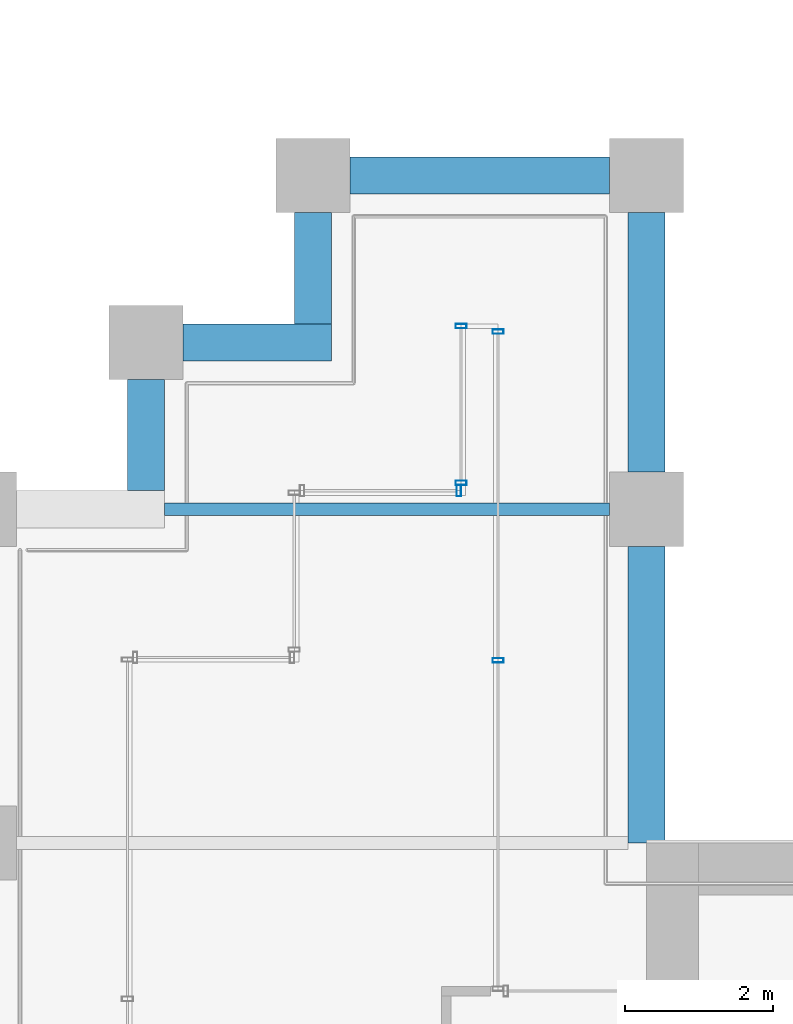
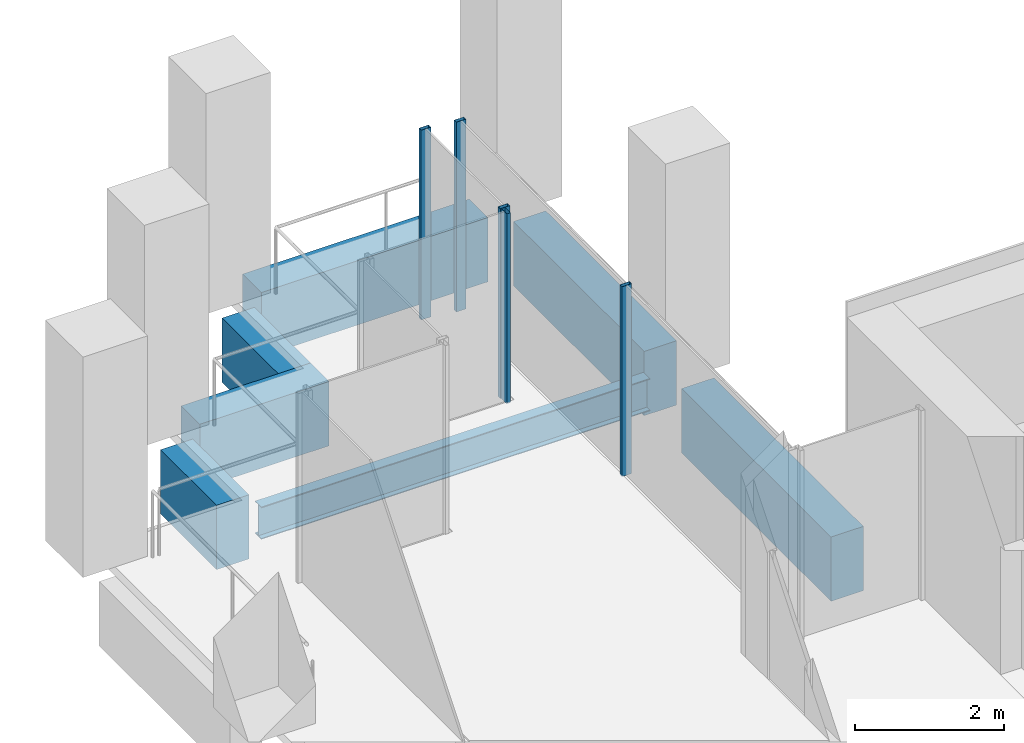
# One storey, part 35 of 47: 7 beams, 5 members, 3 elements without a shape of their own.
"""IFC4 building model written with IfcOpenShell, lengths in metres."""

from ifc_helpers import new_model, si_unit, direction, frame, origin, origin_2d, place, context, subcontext, project, spatial, rectangle, hollow_rectangle, i_section, extrude, material, material_profile, profile_set, type_object, element, aggregate, save


model = new_model("IFC4")

# Units and contexts
model_context = context("Model", 3, precision=1e-05, world=origin(), true_north=direction((0.0, 1.0)))
body_context = subcontext(model_context, "Body", "Model", "MODEL_VIEW")
ifc_project = project(units=[si_unit("LENGTHUNIT", "METRE"), si_unit("AREAUNIT", "SQUARE_METRE"), si_unit("VOLUMEUNIT", "CUBIC_METRE"), si_unit("PLANEANGLEUNIT", "RADIAN"), si_unit("MASSUNIT", "GRAM", prefix="KILO")], contexts=[model_context])

# Site, building, storey
site_placement = place(None, origin())
site = spatial("IfcSite", under=ifc_project, at=site_placement, CompositionType="ELEMENT")
building_placement = place(site_placement, origin())
building = spatial("IfcBuilding", under=site, at=building_placement, Name="Altepetl Exchange Towers", CompositionType="ELEMENT")
storey_placement = place(building_placement, frame((0.0, 0.0, 99.199951171875)))
storey = spatial("IfcBuildingStorey", under=building, at=storey_placement, Name="L24", CompositionType="ELEMENT", Elevation=99.199951171875)

# Beam
ifc_material_1 = material(Name="Steel S355", Category="steel")
ifc_material_profile_1 = material_profile(ifc_material_1, i_section(OverallWidth=0.166015625, OverallDepth=0.529052734375, WebThickness=0.009765625, FlangeThickness=0.013671875, at=origin_2d()), Name="W21X50")
ifc_profile_set_1 = profile_set([ifc_material_profile_1], Name="Steel S355")
beam_type_1 = type_object("IfcBeamType", Name="Floor beam W21X50", PredefinedType="BEAM", material=ifc_profile_set_1)
beam_1_placement = place(storey_placement, frame((97.0, 54.0, -0.41455078125), z_axis=(1.0, 0.0, 0.0), x_axis=(0.0, 1.0, 0.0)))
element("IfcBeam", 1, at=beam_1_placement, inside=storey, type_object=beam_type_1, Name="bm:B:L24:011", PredefinedType="BEAM", context=body_context, shape_type="SweptSolid", body=[
    extrude(i_section(OverallWidth=0.166015625, OverallDepth=0.529052734375, WebThickness=0.009765625, FlangeThickness=0.013671875, at=origin_2d()), origin(), (0.0, 0.0, 1.0), 6.0),
])

# Curtain wall, members
ifc_material_2 = material(Name="Aluminium 6063-T6 glazing", Category="aluminium")
curtain_wall_type = type_object("IfcCurtainWallType", Name="Loggia glazing system", PredefinedType="NOTDEFINED", material=ifc_material_2)
curtain_wall_1_placement = place(storey_placement, origin())
curtain_wall_1 = element("IfcCurtainWall", 2, at=curtain_wall_1_placement, inside=storey, type_object=curtain_wall_type, Name="CW1 run", PredefinedType="NOTDEFINED")
ifc_material_3 = material(Name="Aluminium 6063-T6", Category="aluminium")
ifc_material_profile_2 = material_profile(ifc_material_3, hollow_rectangle(XDim=0.06005859375, YDim=0.14990234375, WallThickness=0.0029296875, at=origin_2d()), Name="Mullion 60x150 aluminium")
ifc_profile_set_2 = profile_set([ifc_material_profile_2], Name="Aluminium 6063-T6")
member_type = type_object("IfcMemberType", Name="Mullion 60x150 aluminium", PredefinedType="MULLION", material=ifc_profile_set_2)
member_1_placement = place(storey_placement, frame((101.5, 51.96240234375, 0.0), z_axis=(0.0, 0.0, 1.0), x_axis=(0.0, 1.0, 0.0)))
member_1 = element("IfcMember", 3, at=member_1_placement, type_object=member_type, Name="MU1 mullion", PredefinedType="MULLION", context=body_context, shape_type="SweptSolid", body=[
    extrude(hollow_rectangle(XDim=0.06005859375, YDim=0.14990234375, WallThickness=0.0029296875, at=origin_2d()), origin(), (0.0, 0.0, 1.0), 3.10009765625),
])
member_2_placement = place(storey_placement, frame((101.5, 56.39501953125, 0.0), z_axis=(0.0, 0.0, 1.0), x_axis=(0.0, 1.0, 0.0)))
member_2 = element("IfcMember", 4, at=member_2_placement, type_object=member_type, Name="MU1 mullion", PredefinedType="MULLION", context=body_context, shape_type="SweptSolid", body=[
    extrude(hollow_rectangle(XDim=0.06005859375, YDim=0.14990234375, WallThickness=0.0029296875, at=origin_2d()), origin(), (0.0, 0.0, 1.0), 3.10009765625),
])
aggregate(curtain_wall_1, [member_1, member_2])

curtain_wall_2_placement = place(storey_placement, origin())
curtain_wall_2 = element("IfcCurtainWall", 5, at=curtain_wall_2_placement, inside=storey, type_object=curtain_wall_type, Name="CW1 run", PredefinedType="NOTDEFINED")
member_3_placement = place(storey_placement, frame((101.0, 56.469970703125, 0.0), z_axis=(0.0, 0.0, 1.0), x_axis=(0.0, -1.0, 0.0)))
member_3 = element("IfcMember", 6, at=member_3_placement, type_object=member_type, Name="MU1 mullion", PredefinedType="MULLION", context=body_context, shape_type="SweptSolid", body=[
    extrude(hollow_rectangle(XDim=0.06005859375, YDim=0.14990234375, WallThickness=0.0029296875, at=origin_2d()), origin(), (0.0, 0.0, 1.0), 3.10009765625),
])
member_4_placement = place(storey_placement, frame((101.0, 54.35498046875, 0.0), z_axis=(0.0, 0.0, 1.0), x_axis=(0.0, -1.0, 0.0)))
member_4 = element("IfcMember", 7, at=member_4_placement, type_object=member_type, Name="MU1 mullion", PredefinedType="MULLION", context=body_context, shape_type="SweptSolid", body=[
    extrude(hollow_rectangle(XDim=0.06005859375, YDim=0.14990234375, WallThickness=0.0029296875, at=origin_2d()), origin(), (0.0, 0.0, 1.0), 3.10009765625),
])
aggregate(curtain_wall_2, [member_3, member_4])

# Curtain wall, member
curtain_wall_3_placement = place(storey_placement, origin())
curtain_wall_3 = element("IfcCurtainWall", 8, at=curtain_wall_3_placement, inside=storey, type_object=curtain_wall_type, Name="CW1 run", PredefinedType="NOTDEFINED")
member_5_placement = place(storey_placement, frame((100.969970703125, 54.25, 0.0), z_axis=(0.0, 0.0, 1.0), x_axis=(-1.0, 0.0, 0.0)))
member_5 = element("IfcMember", 9, at=member_5_placement, type_object=member_type, Name="MU1 mullion", PredefinedType="MULLION", context=body_context, shape_type="SweptSolid", body=[
    extrude(hollow_rectangle(XDim=0.06005859375, YDim=0.14990234375, WallThickness=0.0029296875, at=origin_2d()), origin(), (0.0, 0.0, 1.0), 3.10009765625),
])
aggregate(curtain_wall_3, [member_5])

# Beams
ifc_material_4 = material(Name="Concrete C50/60 precast with cantera rosa facing", Category="concrete")
ifc_material_profile_3 = material_profile(ifc_material_4, rectangle(XDim=0.5, YDim=1.050048828125, at=origin_2d()), Name="500 x 1050")
ifc_profile_set_3 = profile_set([ifc_material_profile_3], Name="Concrete C50/60 precast with cantera rosa facing")
beam_type_2 = type_object("IfcBeamType", Name="Spandrel beam 500x1050 cantera rosa", PredefinedType="SPANDREL", material=ifc_profile_set_3)
beam_2_placement = place(storey_placement, frame((103.5, 49.5, -0.675048828125), z_axis=(0.0, 1.0, 0.0), x_axis=(-1.0, 0.0, 0.0)))
element("IfcBeam", 10, at=beam_2_placement, inside=storey, type_object=beam_type_2, Name="sp:B:L24:015", PredefinedType="SPANDREL", context=body_context, shape_type="SweptSolid", body=[
    extrude(rectangle(XDim=0.5, YDim=1.050048828125, at=origin_2d()), origin(), (0.0, 0.0, 1.0), 4.0),
])
for number, where, z_axis, x_axis, name in (
    (11, (103.5, 54.5, -0.675048828125), (0.0, 1.0, 0.0), (-1.0, 0.0, 0.0), "sp:B:L24:016"),
    (12, (103.0, 58.5, -0.675048828125), (-1.0, 0.0, 0.0), (0.0, -1.0, 0.0), "sp:B:L24:017"),
):
    element("IfcBeam", number, at=place(storey_placement, frame(where, z_axis=z_axis, x_axis=x_axis)), inside=storey, type_object=beam_type_2, Name=name, PredefinedType="SPANDREL", context=body_context, shape_type="SweptSolid", body=[
        extrude(rectangle(XDim=0.5, YDim=1.050048828125, at=origin_2d()), origin(), (0.0, 0.0, 1.0), 3.5),
    ])
beam_3_placement = place(storey_placement, frame((99.0, 58.0, -0.675048828125), z_axis=(0.0, -1.0, 0.0), x_axis=(1.0, 0.0, 0.0)))
element("IfcBeam", 13, at=beam_3_placement, inside=storey, type_object=beam_type_2, Name="sp:B:L24:018", PredefinedType="SPANDREL", context=body_context, shape_type="SweptSolid", body=[
    extrude(rectangle(XDim=0.5, YDim=1.050048828125, at=origin_2d()), origin(), (0.0, 0.0, 1.0), 1.5),
])
beam_4_placement = place(storey_placement, frame((99.25, 56.25, -0.675048828125), z_axis=(-1.0, 0.0, 0.0), x_axis=(0.0, -1.0, 0.0)))
element("IfcBeam", 14, at=beam_4_placement, inside=storey, type_object=beam_type_2, Name="sp:B:L24:019", PredefinedType="SPANDREL", context=body_context, shape_type="SweptSolid", body=[
    extrude(rectangle(XDim=0.5, YDim=1.050048828125, at=origin_2d()), origin(), (0.0, 0.0, 1.0), 2.0),
])
beam_5_placement = place(storey_placement, frame((96.75, 55.75, -0.675048828125), z_axis=(0.0, -1.0, 0.0), x_axis=(1.0, 0.0, 0.0)))
element("IfcBeam", 15, at=beam_5_placement, inside=storey, type_object=beam_type_2, Name="sp:B:L24:020", PredefinedType="SPANDREL", context=body_context, shape_type="SweptSolid", body=[
    extrude(rectangle(XDim=0.5, YDim=1.050048828125, at=origin_2d()), origin(), (0.0, 0.0, 1.0), 1.5),
])

save(model, "model.ifc")
